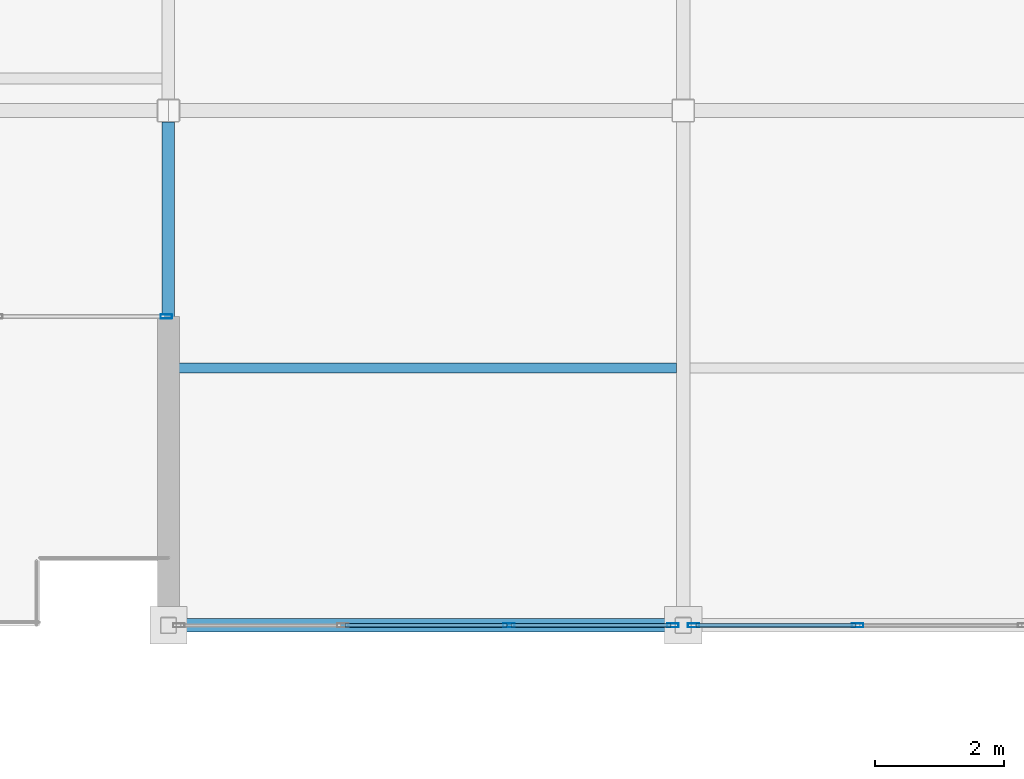
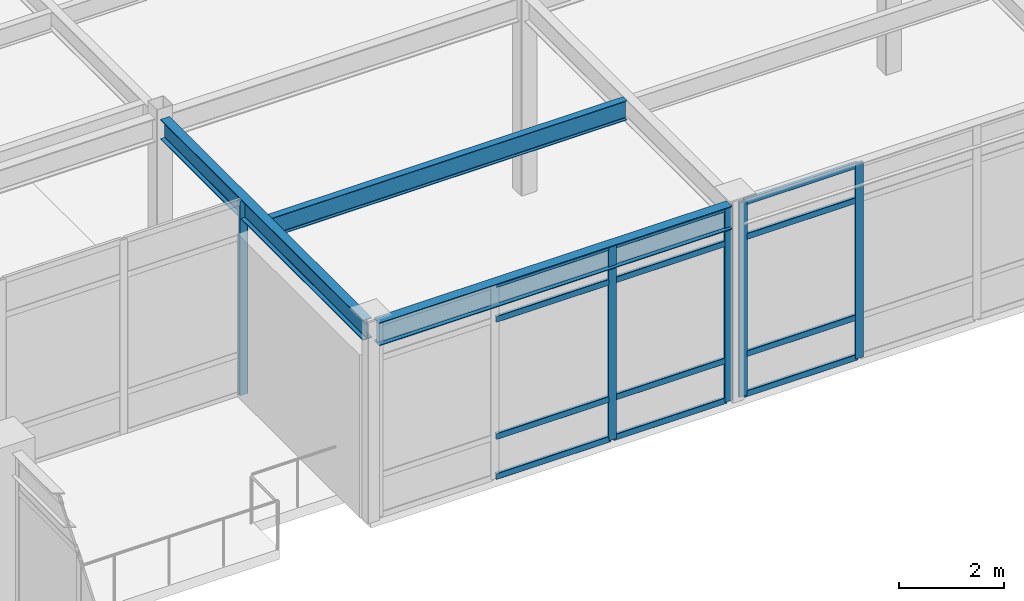
# One storey, part 58 of 117: 17 members, 3 beams, 3 elements without a shape of their own.
"""IFC4 building model written with IfcOpenShell, lengths in metres."""

import ifcopenshell
import ifcopenshell.guid

model = None  # the IFC model being written
_history = None  # IfcOwnerHistory: only IFC2X3 demands one
_inside = {}  # id of a spatial element -> (the spatial element, [elements in it])
_under = {}  # id of a project, library or spatial element -> (it, [spatial elements below it])
_declared = {}  # id of a project -> (the project, [libraries it declares])
_typed = {}  # id of a type object -> (the type object, [elements of that type])
_made_of = {}  # id of a material, layer set ... -> (it, [elements and type objects made of it])


def new_model(schema):
    """Start an empty IFC model of exactly this schema.

    Asked for "IFC4X3", IfcOpenShell would pick the latest addendum, in which some entities
    have other attributes; the version numbers below select the first issue.
    IFC2X3 requires an IfcOwnerHistory on every rooted entity: one is made here for all.
    """
    global model, _history
    if schema == "IFC4X3":
        model = ifcopenshell.file(schema_version=(4, 3, 0, 0))
    else:
        model = ifcopenshell.file(schema=schema)
    _inside.clear()
    _under.clear()
    _declared.clear()
    _typed.clear()
    _made_of.clear()
    _history = None
    if model.schema == "IFC2X3":
        org = make("IfcOrganization", Name="unknown")
        user = make(
            "IfcPersonAndOrganization",
            ThePerson=make("IfcPerson", FamilyName="unknown"),
            TheOrganization=org,
        )
        app = make(
            "IfcApplication",
            ApplicationDeveloper=org,
            Version="unknown",
            ApplicationFullName="unknown",
            ApplicationIdentifier="unknown",
        )
        _history = make(
            "IfcOwnerHistory",
            OwningUser=user,
            OwningApplication=app,
            ChangeAction="ADDED",
            CreationDate=0,
        )
    return model


def make(cls, **values):
    """One entity of the class cls with the attributes given. An attribute that is None is left unset."""
    return model.create_entity(
        cls, **{name: value for name, value in values.items() if value is not None}
    )


def rooted(cls, **values):
    """An entity with a GlobalId (a new one), such as an element, a storey or a relation."""
    return make(cls, GlobalId=ifcopenshell.guid.new(), OwnerHistory=_history, **values)


def si_unit(unit_type, name, prefix=None):
    """IfcSIUnit, for example si_unit("LENGTHUNIT", "METRE", prefix="MILLI")."""
    return make("IfcSIUnit", UnitType=unit_type, Prefix=prefix, Name=name)


def assignment(units):
    """IfcUnitAssignment: the units of a project."""
    return None if units is None else make("IfcUnitAssignment", Units=units)


def point(xyz):
    """IfcCartesianPoint."""
    return None if xyz is None else make("IfcCartesianPoint", Coordinates=xyz)


def direction(xyz):
    """IfcDirection."""
    return None if xyz is None else make("IfcDirection", DirectionRatios=xyz)


def frame(location, z_axis=None, x_axis=None):
    """IfcAxis2Placement3D, a coordinate frame: its origin and axes. An axis left out is left unset."""
    return make(
        "IfcAxis2Placement3D",
        Location=point(location),
        Axis=direction(z_axis),
        RefDirection=direction(x_axis),
    )


def frame_2d(location, x_axis=None):
    """IfcAxis2Placement2D, a coordinate frame in the plane: its origin and x axis."""
    return make(
        "IfcAxis2Placement2D", Location=point(location), RefDirection=direction(x_axis)
    )


def origin():
    """The frame at (0, 0, 0) with its axes left unset."""
    return frame((0.0, 0.0, 0.0))


def origin_2d():
    """The frame at (0, 0) in the plane with its x axis left unset."""
    return frame_2d((0.0, 0.0))


def place(relative_to, where):
    """IfcLocalPlacement: puts the frame where relative to a parent placement (None: the world)."""
    return make(
        "IfcLocalPlacement", PlacementRelTo=relative_to, RelativePlacement=where
    )


def context(
    kind, dimensions, precision=None, world=None, true_north=None, identifier=None
):
    """IfcGeometricRepresentationContext, for example the 3D "Model" context."""
    return make(
        "IfcGeometricRepresentationContext",
        ContextIdentifier=identifier,
        ContextType=kind,
        CoordinateSpaceDimension=dimensions,
        Precision=precision,
        WorldCoordinateSystem=world,
        TrueNorth=true_north,
    )


def subcontext(parent, identifier, kind, view, scale=None):
    """IfcGeometricRepresentationSubContext, for example "Body" below "Model"."""
    return make(
        "IfcGeometricRepresentationSubContext",
        ContextIdentifier=identifier,
        ContextType=kind,
        ParentContext=parent,
        TargetScale=scale,
        TargetView=view,
    )


def project(units=None, contexts=None):
    """IfcProject with its units and contexts."""
    return rooted(
        "IfcProject",
        Name="project",
        RepresentationContexts=contexts,
        UnitsInContext=assignment(units),
    )


def spatial(cls, under=None, at=None, **own):
    """A site, building, storey or space (cls), placed at a placement, below another one or the project."""
    s = rooted(cls, ObjectPlacement=at, **own)
    if under is not None:
        _under.setdefault(under.id(), (under, []))[1].append(s)
    return s


def profile(cls, at=None, kind="AREA", **sizes):
    """A parametric profile (cls). Its sizes go by their IFC names, for example OverallWidth=200.0."""
    return make(cls, ProfileType=kind, Position=at, **sizes)


def hollow_rectangle(**sizes):
    """IfcRectangleHollowProfileDef."""
    return profile("IfcRectangleHollowProfileDef", **sizes)


def i_section(**sizes):
    """IfcIShapeProfileDef."""
    return profile("IfcIShapeProfileDef", **sizes)


def extrude(swept, where, along, depth):
    """IfcExtrudedAreaSolid: the profile swept, set in the frame where, extruded along a direction by depth."""
    return make(
        "IfcExtrudedAreaSolid",
        SweptArea=swept,
        Position=where,
        ExtrudedDirection=direction(along),
        Depth=depth,
    )


def shape(context_of_items, identifier, shape_type, items):
    """IfcShapeRepresentation: the items that make up one representation, for example the "Body"."""
    return make(
        "IfcShapeRepresentation",
        ContextOfItems=context_of_items,
        RepresentationIdentifier=identifier,
        RepresentationType=shape_type,
        Items=items,
    )


def material(Name=None, Category=None):
    """IfcMaterial."""
    return make("IfcMaterial", Name=Name, Category=Category)


def material_profile(
    of_material, cross_section, Name=None, Category=None, Priority=None
):
    """IfcMaterialProfile: a cross section and its material."""
    return make(
        "IfcMaterialProfile",
        Name=Name,
        Material=of_material,
        Profile=cross_section,
        Priority=Priority,
        Category=Category,
    )


def profile_set(profiles, Name=None, composite=None):
    """IfcMaterialProfileSet."""
    return make(
        "IfcMaterialProfileSet",
        Name=Name,
        MaterialProfiles=profiles,
        CompositeProfile=composite,
    )


def made_of(thing, what):
    """Note that an element or type object is made of a material, layer set ...; save() writes the relation."""
    if what is not None:
        _made_of.setdefault(what.id(), (what, []))[1].append(thing)
    return thing


def type_object(cls, material=None, **own):
    """A type object (cls), such as IfcWallType, which elements share."""
    return made_of(rooted(cls, **own), material)


def element(
    cls,
    number,
    at=None,
    inside=None,
    cuts=None,
    type_object=None,
    material=None,
    context=None,
    identifier="Body",
    shape_type=None,
    held_by="IfcProductDefinitionShape",
    body=None,
    shapes=None,
    **own,
):
    """One element of the class cls, such as IfcWall. Its Tag is "e" and its number.

    at: its placement. inside: the storey or other place that contains it. cuts: it is an
    opening in that element (IfcRelVoidsElement). A single representation is given by context,
    identifier, shape_type and body (its items); several are given by shapes. held_by: the class
    of the entity that holds the representations. save() writes the other relations.
    """
    e = rooted(cls, Tag="e%d" % number, ObjectPlacement=at, **own)
    if body is not None:
        shapes = [shape(context, identifier, shape_type, body)]
    if shapes is not None:
        e.Representation = make(held_by, Representations=shapes)
    if inside is not None:
        _inside.setdefault(inside.id(), (inside, []))[1].append(e)
    if cuts is not None:
        rooted(
            "IfcRelVoidsElement", RelatingBuildingElement=cuts, RelatedOpeningElement=e
        )
    if type_object is not None:
        _typed.setdefault(type_object.id(), (type_object, []))[1].append(e)
    return made_of(e, material)


def aggregate(whole, parts):
    """IfcRelAggregates: a whole, such as a stair, and the parts it consists of."""
    return rooted("IfcRelAggregates", RelatingObject=whole, RelatedObjects=parts)


def save(model, path):
    """Write the relations noted so far, then the file.

    IfcRelAggregates (storeys below a building ...), IfcRelContainedInSpatialStructure (elements
    in a storey), IfcRelDefinesByType, IfcRelAssociatesMaterial and IfcRelDeclares: one each for
    every whole, place, type object, material and project.
    """
    for whole, parts in _under.values():
        aggregate(whole, parts)
    for where, things in _inside.values():
        rooted(
            "IfcRelContainedInSpatialStructure",
            RelatedElements=things,
            RelatingStructure=where,
        )
    for kind, things in _typed.values():
        rooted("IfcRelDefinesByType", RelatedObjects=things, RelatingType=kind)
    for what, things in _made_of.values():
        rooted("IfcRelAssociatesMaterial", RelatedObjects=things, RelatingMaterial=what)
    for by, libraries in _declared.values():
        rooted("IfcRelDeclares", RelatingContext=by, RelatedDefinitions=libraries)
    model.write(path)


model = new_model("IFC4")

# Units and contexts
model_context = context("Model", 3, precision=1e-05, world=origin(), true_north=direction((0.0, 1.0)))
body_context = subcontext(model_context, "Body", "Model", "MODEL_VIEW")
ifc_project = project(units=[si_unit("LENGTHUNIT", "METRE"), si_unit("AREAUNIT", "SQUARE_METRE"), si_unit("VOLUMEUNIT", "CUBIC_METRE"), si_unit("PLANEANGLEUNIT", "RADIAN"), si_unit("MASSUNIT", "GRAM", prefix="KILO")], contexts=[model_context])

# Site, building, storey
site_placement = place(None, origin())
site = spatial("IfcSite", under=ifc_project, at=site_placement, CompositionType="ELEMENT")
building_placement = place(site_placement, origin())
building = spatial("IfcBuilding", under=site, at=building_placement, Name="Solmirada Galleria", CompositionType="ELEMENT")
storey_placement = place(building_placement, frame((0.0, 0.0, 5.60009765625)))
storey = spatial("IfcBuildingStorey", under=building, at=storey_placement, Name="L01", CompositionType="ELEMENT", Elevation=5.60009765625)

# Beams
ifc_material_1 = material(Name="Steel S355 / ASTM A992 Grade 50", Category="steel")
ifc_material_profile_1 = material_profile(ifc_material_1, i_section(OverallWidth=0.194091796875, OverallDepth=0.468994140625, WebThickness=0.0126953125, FlangeThickness=0.0205078125, FilletRadius=0.013916015625, at=origin_2d()), Name="W18X71")
ifc_profile_set_1 = profile_set([ifc_material_profile_1], Name="Steel S355 / ASTM A992 Grade 50")
beam_type_1 = type_object("IfcBeamType", Name="BM-GIRD-W18B", PredefinedType="BEAM", material=ifc_profile_set_1)
beam_1_placement = place(storey_placement, frame((120.0, 72.126953125, 4.325439453125), z_axis=(0.0, 1.0, 0.0), x_axis=(-1.0, 0.0, 0.0)))
element("IfcBeam", 1, at=beam_1_placement, inside=storey, type_object=beam_type_1, Name="Primary girder L02 Y(120, 72..80)", PredefinedType="BEAM", context=body_context, shape_type="SweptSolid", body=[
    extrude(i_section(OverallWidth=0.194091796875, OverallDepth=0.468994140625, WebThickness=0.0126953125, FlangeThickness=0.0205078125, FilletRadius=0.013916015625, at=origin_2d()), origin(), (0.0, 0.0, 1.0), 7.695068359375),
])
ifc_material_profile_2 = material_profile(ifc_material_1, i_section(OverallWidth=0.2099609375, OverallDepth=0.537109375, WebThickness=0.010986328125, FlangeThickness=0.017333984375, FilletRadius=0.014892578125, at=origin_2d()), Name="W21X68")
ifc_profile_set_2 = profile_set([ifc_material_profile_2], Name="Steel S355 / ASTM A992 Grade 50")
beam_type_2 = type_object("IfcBeamType", Name="BM-GIRD-W21B", PredefinedType="BEAM", material=ifc_profile_set_2)
beam_2_placement = place(storey_placement, frame((120.126953125, 72.0, 4.29150390625), z_axis=(1.0, 0.0, 0.0), x_axis=(0.0, 1.0, 0.0)))
element("IfcBeam", 2, at=beam_2_placement, inside=storey, type_object=beam_type_2, Name="Primary beam L02 X(120..128, 72)", PredefinedType="BEAM", context=body_context, shape_type="SweptSolid", body=[
    extrude(i_section(OverallWidth=0.2099609375, OverallDepth=0.537109375, WebThickness=0.010986328125, FlangeThickness=0.017333984375, FilletRadius=0.014892578125, at=origin_2d()), origin(), (0.0, 0.0, 1.0), 7.74609375),
])
ifc_material_profile_3 = material_profile(ifc_material_1, i_section(OverallWidth=0.152099609375, OverallDepth=0.449951171875, WebThickness=0.007568359375, FlangeThickness=0.0107421875, FilletRadius=0.011962890625, at=origin_2d()), Name="W18X35")
ifc_profile_set_3 = profile_set([ifc_material_profile_3], Name="Steel S355 / ASTM A992 Grade 50")
beam_type_3 = type_object("IfcBeamType", Name="BM-JST-W18B", PredefinedType="JOIST", material=ifc_profile_set_3)
beam_3_placement = place(storey_placement, frame((120.096923828125, 76.0, 4.3349609375), z_axis=(1.0, 0.0, 0.0), x_axis=(0.0, 1.0, 0.0)))
element("IfcBeam", 3, at=beam_3_placement, inside=storey, type_object=beam_type_3, Name="Composite floor joist L02 (120..128, 76.0)", PredefinedType="JOIST", context=body_context, shape_type="SweptSolid", body=[
    extrude(i_section(OverallWidth=0.152099609375, OverallDepth=0.449951171875, WebThickness=0.007568359375, FlangeThickness=0.0107421875, FilletRadius=0.011962890625, at=origin_2d()), origin(), (0.0, 0.0, 1.0), 7.798095703125),
])

# Curtain wall, members
ifc_material_2 = material(Name="Impact-resistant low-E double glazing", Category="glass")
curtain_wall_type_1 = type_object("IfcCurtainWallType", Name="CW-FZ4-L01-B3-L077", PredefinedType="NOTDEFINED", material=ifc_material_2)
curtain_wall_1_placement = place(storey_placement, origin())
curtain_wall_1 = element("IfcCurtainWall", 4, at=curtain_wall_1_placement, inside=storey, type_object=curtain_wall_type_1, Name="Terrace and arcade storefront CW-L01-062", PredefinedType="NOTDEFINED")
ifc_material_3 = material(Name="Anodised aluminium framing", Category="aluminium")
ifc_material_profile_4 = material_profile(ifc_material_3, hollow_rectangle(XDim=0.06494140625, YDim=0.179931640625, WallThickness=0.00390625, InnerFilletRadius=0.00390625, OuterFilletRadius=0.008056640625, at=origin_2d()), Name="ALU-MULL-180X65")
ifc_profile_set_4 = profile_set([ifc_material_profile_4], Name="Anodised aluminium framing")
member_type_1 = type_object("IfcMemberType", Name="CW-MULL-180", PredefinedType="MULLION", material=ifc_profile_set_4)
member_1_placement = place(storey_placement, frame((130.709716796875, 72.0, 0.0), z_axis=(0.0, 0.0, 1.0), x_axis=(0.0, -1.0, 0.0)))
member_1 = element("IfcMember", 5, at=member_1_placement, type_object=member_type_1, Name="CW16 mullion 3", PredefinedType="MULLION", context=body_context, shape_type="SweptSolid", body=[
    extrude(hollow_rectangle(XDim=0.06494140625, YDim=0.179931640625, WallThickness=0.00390625, InnerFilletRadius=0.00390625, OuterFilletRadius=0.008056640625, at=origin_2d()), origin(), (0.0, 0.0, 1.0), 4.52001953125),
])
member_2_placement = place(storey_placement, frame((128.16162109375, 72.0, 0.0), z_axis=(0.0, 0.0, 1.0), x_axis=(0.0, -1.0, 0.0)))
member_2 = element("IfcMember", 6, at=member_2_placement, type_object=member_type_1, Name="CW16 mullion 4", PredefinedType="MULLION", context=body_context, shape_type="SweptSolid", body=[
    extrude(hollow_rectangle(XDim=0.06494140625, YDim=0.179931640625, WallThickness=0.00390625, InnerFilletRadius=0.00390625, OuterFilletRadius=0.008056640625, at=origin_2d()), origin(), (0.0, 0.0, 1.0), 4.52001953125),
])

curtain_wall_2_placement = place(storey_placement, origin())
curtain_wall_2 = element("IfcCurtainWall", 7, at=curtain_wall_2_placement, inside=storey, type_object=curtain_wall_type_1, Name="Terrace and arcade storefront CW-L01-063", PredefinedType="NOTDEFINED")
member_3_placement = place(storey_placement, frame((127.83837890625, 72.0, 0.0), z_axis=(0.0, 0.0, 1.0), x_axis=(0.0, -1.0, 0.0)))
member_3 = element("IfcMember", 8, at=member_3_placement, type_object=member_type_1, Name="CW16 mullion 1", PredefinedType="MULLION", context=body_context, shape_type="SweptSolid", body=[
    extrude(hollow_rectangle(XDim=0.06494140625, YDim=0.179931640625, WallThickness=0.00390625, InnerFilletRadius=0.00390625, OuterFilletRadius=0.008056640625, at=origin_2d()), origin(), (0.0, 0.0, 1.0), 4.52001953125),
])
member_4_placement = place(storey_placement, frame((125.290283203125, 72.0, 0.0), z_axis=(0.0, 0.0, 1.0), x_axis=(0.0, -1.0, 0.0)))
member_4 = element("IfcMember", 9, at=member_4_placement, type_object=member_type_1, Name="CW16 mullion 2", PredefinedType="MULLION", context=body_context, shape_type="SweptSolid", body=[
    extrude(hollow_rectangle(XDim=0.06494140625, YDim=0.179931640625, WallThickness=0.00390625, InnerFilletRadius=0.00390625, OuterFilletRadius=0.008056640625, at=origin_2d()), origin(), (0.0, 0.0, 1.0), 4.52001953125),
])

# Curtain wall, member
curtain_wall_type_2 = type_object("IfcCurtainWallType", Name="CW-FZ4-L01-B3-L080", PredefinedType="NOTDEFINED", material=ifc_material_2)
curtain_wall_3_placement = place(storey_placement, origin())
curtain_wall_3 = element("IfcCurtainWall", 10, at=curtain_wall_3_placement, inside=storey, type_object=curtain_wall_type_2, Name="Terrace and arcade storefront CW-L01-064", PredefinedType="NOTDEFINED")
member_5_placement = place(storey_placement, frame((119.967529296875, 76.800048828125, 0.0), z_axis=(0.0, 0.0, 1.0), x_axis=(0.0, -1.0, 0.0)))
member_5 = element("IfcMember", 11, at=member_5_placement, type_object=member_type_1, Name="CW13 mullion 1", PredefinedType="MULLION", context=body_context, shape_type="SweptSolid", body=[
    extrude(hollow_rectangle(XDim=0.06494140625, YDim=0.179931640625, WallThickness=0.00390625, InnerFilletRadius=0.00390625, OuterFilletRadius=0.008056640625, at=origin_2d()), origin(), (0.0, 0.0, 1.0), 4.52001953125),
])
aggregate(curtain_wall_3, [member_5])

# Member
ifc_material_profile_5 = material_profile(ifc_material_3, hollow_rectangle(XDim=0.06494140625, YDim=0.139892578125, WallThickness=0.00341796875, InnerFilletRadius=0.00341796875, OuterFilletRadius=0.007080078125, at=origin_2d()), Name="ALU-TRAN-140X65")
ifc_profile_set_5 = profile_set([ifc_material_profile_5], Name="Anodised aluminium framing")
member_type_2 = type_object("IfcMemberType", Name="CW-TRAN-140", PredefinedType="USERDEFINED", material=ifc_profile_set_5)
member_6_placement = place(storey_placement, frame((130.67724609375, 72.0, 0.032470703125), z_axis=(-1.0, 0.0, 0.0), x_axis=(0.0, -1.0, 0.0)))
member_6 = element("IfcMember", 12, at=member_6_placement, type_object=member_type_2, Name="CW16 transom 3.1", ObjectType="TRANSOM", PredefinedType="USERDEFINED", context=body_context, shape_type="SweptSolid", body=[
    extrude(hollow_rectangle(XDim=0.06494140625, YDim=0.139892578125, WallThickness=0.00341796875, InnerFilletRadius=0.00341796875, OuterFilletRadius=0.007080078125, at=origin_2d()), origin(), (0.0, 0.0, 1.0), 2.483154296875),
])

member_7_placement = place(storey_placement, frame((130.67724609375, 72.0, 0.9599609375), z_axis=(-1.0, 0.0, 0.0), x_axis=(0.0, -1.0, 0.0)))
member_7 = element("IfcMember", 13, at=member_7_placement, type_object=member_type_2, Name="CW16 transom 3.2", ObjectType="TRANSOM", PredefinedType="USERDEFINED", context=body_context, shape_type="SweptSolid", body=[
    extrude(hollow_rectangle(XDim=0.06494140625, YDim=0.139892578125, WallThickness=0.00341796875, InnerFilletRadius=0.00341796875, OuterFilletRadius=0.007080078125, at=origin_2d()), origin(), (0.0, 0.0, 1.0), 2.483154296875),
])

member_8_placement = place(storey_placement, frame((130.67724609375, 72.0, 3.679931640625), z_axis=(-1.0, 0.0, 0.0), x_axis=(0.0, -1.0, 0.0)))
member_8 = element("IfcMember", 14, at=member_8_placement, type_object=member_type_2, Name="CW16 transom 3.3", ObjectType="TRANSOM", PredefinedType="USERDEFINED", context=body_context, shape_type="SweptSolid", body=[
    extrude(hollow_rectangle(XDim=0.06494140625, YDim=0.139892578125, WallThickness=0.00341796875, InnerFilletRadius=0.00341796875, OuterFilletRadius=0.007080078125, at=origin_2d()), origin(), (0.0, 0.0, 1.0), 2.483154296875),
])

member_9_placement = place(storey_placement, frame((130.67724609375, 72.0, 4.4873046875), z_axis=(-1.0, 0.0, 0.0), x_axis=(0.0, -1.0, 0.0)))
member_9 = element("IfcMember", 15, at=member_9_placement, type_object=member_type_2, Name="CW16 transom 3.4", ObjectType="TRANSOM", PredefinedType="USERDEFINED", context=body_context, shape_type="SweptSolid", body=[
    extrude(hollow_rectangle(XDim=0.06494140625, YDim=0.139892578125, WallThickness=0.00341796875, InnerFilletRadius=0.00341796875, OuterFilletRadius=0.007080078125, at=origin_2d()), origin(), (0.0, 0.0, 1.0), 2.483154296875),
])

aggregate(curtain_wall_1, [member_1, member_2, member_6, member_7, member_8, member_9])

member_10_placement = place(storey_placement, frame((127.805908203125, 72.0, 0.032470703125), z_axis=(-1.0, 0.0, 0.0), x_axis=(0.0, -1.0, 0.0)))
member_10 = element("IfcMember", 16, at=member_10_placement, type_object=member_type_2, Name="CW16 transom 1.1", ObjectType="TRANSOM", PredefinedType="USERDEFINED", context=body_context, shape_type="SweptSolid", body=[
    extrude(hollow_rectangle(XDim=0.06494140625, YDim=0.139892578125, WallThickness=0.00341796875, InnerFilletRadius=0.00341796875, OuterFilletRadius=0.007080078125, at=origin_2d()), origin(), (0.0, 0.0, 1.0), 2.483154296875),
])

member_11_placement = place(storey_placement, frame((127.805908203125, 72.0, 0.9599609375), z_axis=(-1.0, 0.0, 0.0), x_axis=(0.0, -1.0, 0.0)))
member_11 = element("IfcMember", 17, at=member_11_placement, type_object=member_type_2, Name="CW16 transom 1.2", ObjectType="TRANSOM", PredefinedType="USERDEFINED", context=body_context, shape_type="SweptSolid", body=[
    extrude(hollow_rectangle(XDim=0.06494140625, YDim=0.139892578125, WallThickness=0.00341796875, InnerFilletRadius=0.00341796875, OuterFilletRadius=0.007080078125, at=origin_2d()), origin(), (0.0, 0.0, 1.0), 2.483154296875),
])

member_12_placement = place(storey_placement, frame((127.805908203125, 72.0, 3.679931640625), z_axis=(-1.0, 0.0, 0.0), x_axis=(0.0, -1.0, 0.0)))
member_12 = element("IfcMember", 18, at=member_12_placement, type_object=member_type_2, Name="CW16 transom 1.3", ObjectType="TRANSOM", PredefinedType="USERDEFINED", context=body_context, shape_type="SweptSolid", body=[
    extrude(hollow_rectangle(XDim=0.06494140625, YDim=0.139892578125, WallThickness=0.00341796875, InnerFilletRadius=0.00341796875, OuterFilletRadius=0.007080078125, at=origin_2d()), origin(), (0.0, 0.0, 1.0), 2.483154296875),
])

member_13_placement = place(storey_placement, frame((127.805908203125, 72.0, 4.4873046875), z_axis=(-1.0, 0.0, 0.0), x_axis=(0.0, -1.0, 0.0)))
member_13 = element("IfcMember", 19, at=member_13_placement, type_object=member_type_2, Name="CW16 transom 1.4", ObjectType="TRANSOM", PredefinedType="USERDEFINED", context=body_context, shape_type="SweptSolid", body=[
    extrude(hollow_rectangle(XDim=0.06494140625, YDim=0.139892578125, WallThickness=0.00341796875, InnerFilletRadius=0.00341796875, OuterFilletRadius=0.007080078125, at=origin_2d()), origin(), (0.0, 0.0, 1.0), 2.483154296875),
])

member_14_placement = place(storey_placement, frame((125.2578125, 72.0, 0.032470703125), z_axis=(-1.0, 0.0, 0.0), x_axis=(0.0, -1.0, 0.0)))
member_14 = element("IfcMember", 20, at=member_14_placement, type_object=member_type_2, Name="CW16 transom 2.1", ObjectType="TRANSOM", PredefinedType="USERDEFINED", context=body_context, shape_type="SweptSolid", body=[
    extrude(hollow_rectangle(XDim=0.06494140625, YDim=0.139892578125, WallThickness=0.00341796875, InnerFilletRadius=0.00341796875, OuterFilletRadius=0.007080078125, at=origin_2d()), origin(), (0.0, 0.0, 1.0), 2.515625),
])

member_15_placement = place(storey_placement, frame((125.2578125, 72.0, 0.9599609375), z_axis=(-1.0, 0.0, 0.0), x_axis=(0.0, -1.0, 0.0)))
member_15 = element("IfcMember", 21, at=member_15_placement, type_object=member_type_2, Name="CW16 transom 2.2", ObjectType="TRANSOM", PredefinedType="USERDEFINED", context=body_context, shape_type="SweptSolid", body=[
    extrude(hollow_rectangle(XDim=0.06494140625, YDim=0.139892578125, WallThickness=0.00341796875, InnerFilletRadius=0.00341796875, OuterFilletRadius=0.007080078125, at=origin_2d()), origin(), (0.0, 0.0, 1.0), 2.515625),
])

member_16_placement = place(storey_placement, frame((125.2578125, 72.0, 3.679931640625), z_axis=(-1.0, 0.0, 0.0), x_axis=(0.0, -1.0, 0.0)))
member_16 = element("IfcMember", 22, at=member_16_placement, type_object=member_type_2, Name="CW16 transom 2.3", ObjectType="TRANSOM", PredefinedType="USERDEFINED", context=body_context, shape_type="SweptSolid", body=[
    extrude(hollow_rectangle(XDim=0.06494140625, YDim=0.139892578125, WallThickness=0.00341796875, InnerFilletRadius=0.00341796875, OuterFilletRadius=0.007080078125, at=origin_2d()), origin(), (0.0, 0.0, 1.0), 2.515625),
])

member_17_placement = place(storey_placement, frame((125.2578125, 72.0, 4.4873046875), z_axis=(-1.0, 0.0, 0.0), x_axis=(0.0, -1.0, 0.0)))
member_17 = element("IfcMember", 23, at=member_17_placement, type_object=member_type_2, Name="CW16 transom 2.4", ObjectType="TRANSOM", PredefinedType="USERDEFINED", context=body_context, shape_type="SweptSolid", body=[
    extrude(hollow_rectangle(XDim=0.06494140625, YDim=0.139892578125, WallThickness=0.00341796875, InnerFilletRadius=0.00341796875, OuterFilletRadius=0.007080078125, at=origin_2d()), origin(), (0.0, 0.0, 1.0), 2.515625),
])

aggregate(curtain_wall_2, [member_3, member_4, member_10, member_11, member_12, member_13, member_14, member_15, member_16, member_17])

save(model, "model.ifc")
